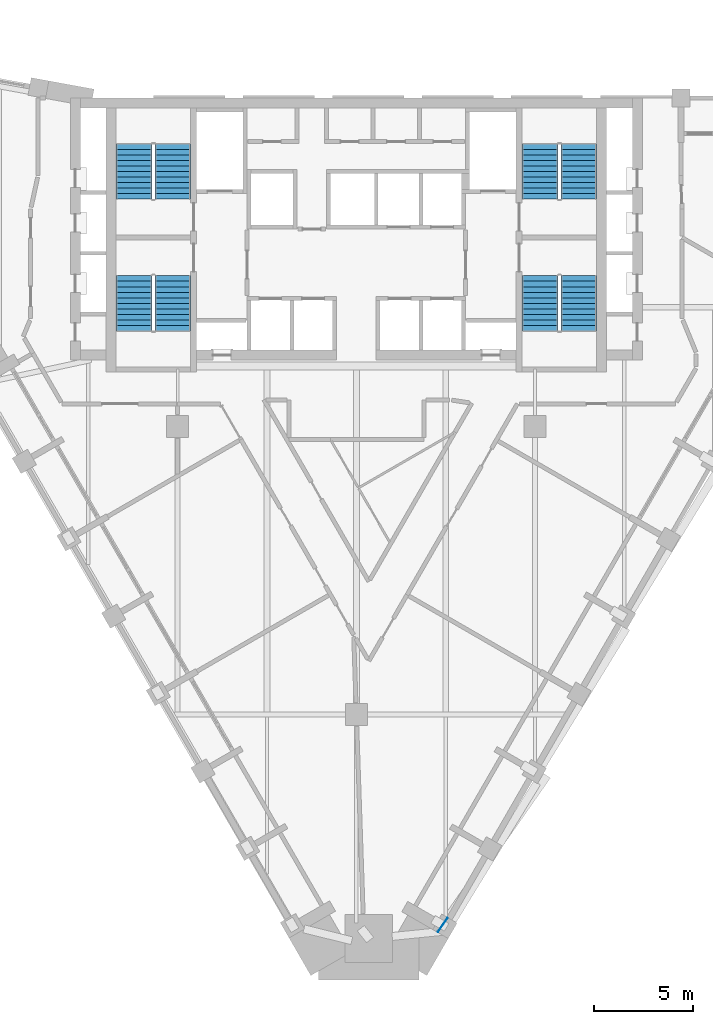
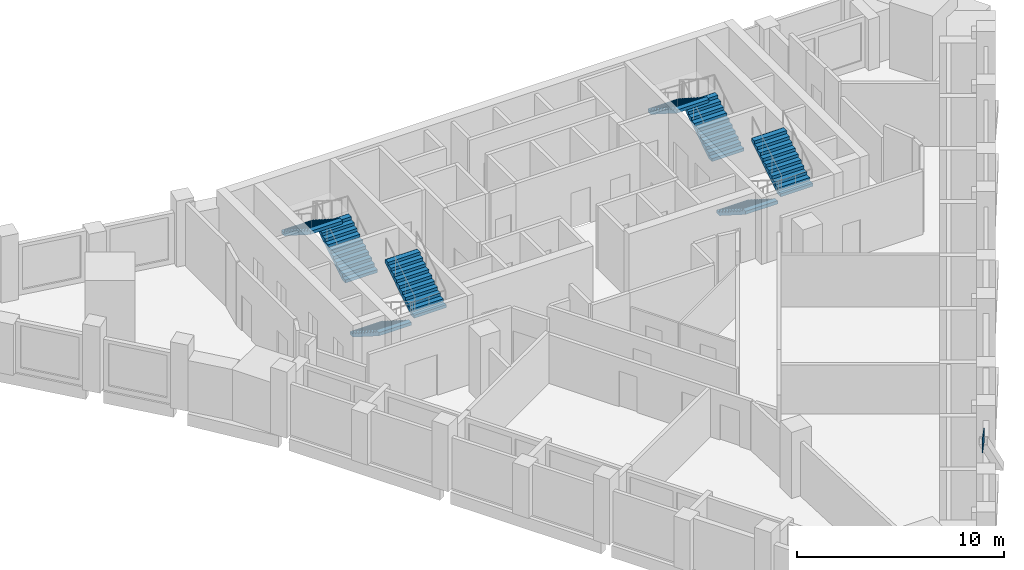
# One storey, part 8 of 9: 8 stair flights, 1 discrete accessory, 4 elements without a shape of their own.
"""IFC4 building model written with IfcOpenShell, lengths in metres."""

from ifc_helpers import new_model, si_unit, direction, frame, origin, origin_2d, place, context, subcontext, project, spatial, rectangle, extrude, faceted_brep, source, transform, mapped, material, type_object, element, aggregate, save


model = new_model("IFC4")

# Units and contexts
model_context = context("Model", 3, precision=1e-05, world=origin(), true_north=direction((0.0, 1.0)))
body_context = subcontext(model_context, "Body", "Model", "MODEL_VIEW")
ifc_project = project(units=[si_unit("LENGTHUNIT", "METRE"), si_unit("AREAUNIT", "SQUARE_METRE"), si_unit("VOLUMEUNIT", "CUBIC_METRE"), si_unit("PLANEANGLEUNIT", "RADIAN"), si_unit("MASSUNIT", "GRAM", prefix="KILO")], contexts=[model_context])

# Site, building, storey
site_placement = place(None, origin())
site = spatial("IfcSite", under=ifc_project, at=site_placement, CompositionType="ELEMENT")
building_placement = place(site_placement, origin())
building = spatial("IfcBuilding", under=site, at=building_placement, Name="Calabash Gate Tower", CompositionType="ELEMENT")
storey_placement = place(building_placement, frame((0.0, 0.0, 227.60009765625)))
storey = spatial("IfcBuildingStorey", under=building, at=storey_placement, Name="L54", CompositionType="ELEMENT", Elevation=227.60009765625)

# Stair, stair flights
ifc_material_1 = material(Name="Concrete C40/50", Category="concrete")
stair_type = type_object("IfcStairType", Name="Exit stair 22 risers of 177.3 mm", PredefinedType="HALF_TURN_STAIR", material=ifc_material_1)
stair_1_placement = place(storey_placement, origin())
stair_1 = element("IfcStair", 1, at=stair_1_placement, inside=storey, type_object=stair_type, Name="L54 Exit stair ST1", PredefinedType="HALF_TURN_STAIR")
ifc_material_2 = material(Name="Concrete C40/50", Category="concrete")
stair_flight_type = type_object("IfcStairFlightType", Name="Exit stair flight SFL", PredefinedType="STRAIGHT", material=ifc_material_2)
shared_shape = source(origin(), body_context, "Body", "Brep", [
    faceted_brep([(-0.0009765625, -0.89990234375, 0.0), (0.279541015625, -0.89990234375, 0.0), (2.791015625, -0.89990234375, 1.59521484375), (-0.0009765625, 0.89990234375, 0.0), (2.791015625, 0.89990234375, 1.59521484375), (0.279541015625, 0.89990234375, 0.0), (2.791015625, -0.89990234375, 1.78466796875), (2.7900390625, -0.89990234375, 1.78466796875), (2.7900390625, 0.89990234375, 1.78466796875), (2.791015625, 0.89990234375, 1.78466796875), (2.7900390625, -0.89990234375, 1.772705078125), (2.7900390625, 0.89990234375, 1.772705078125), (2.510986328125, -0.89990234375, 1.772705078125), (2.510986328125, 0.89990234375, 1.772705078125), (2.510986328125, -0.89990234375, 1.595458984375), (2.510986328125, 0.89990234375, 1.595458984375), (2.23193359375, -0.89990234375, 1.595458984375), (2.23193359375, 0.89990234375, 1.595458984375), (2.23193359375, -0.89990234375, 1.418212890625), (2.23193359375, 0.89990234375, 1.418212890625), (1.952880859375, -0.89990234375, 1.418212890625), (1.952880859375, -0.89990234375, 1.240966796875), (1.952880859375, 0.89990234375, 1.240966796875), (1.952880859375, 0.89990234375, 1.418212890625), (1.674072265625, -0.89990234375, 1.240966796875), (1.674072265625, -0.89990234375, 1.063720703125), (1.674072265625, 0.89990234375, 1.063720703125), (1.674072265625, 0.89990234375, 1.240966796875), (1.39501953125, -0.89990234375, 1.063720703125), (1.39501953125, -0.89990234375, 0.886474609375), (1.39501953125, 0.89990234375, 0.886474609375), (1.39501953125, 0.89990234375, 1.063720703125), (1.115966796875, -0.89990234375, 0.886474609375), (1.115966796875, -0.89990234375, 0.708984375), (1.115966796875, 0.89990234375, 0.708984375), (1.115966796875, 0.89990234375, 0.886474609375), (0.8369140625, -0.89990234375, 0.708984375), (0.8369140625, -0.89990234375, 0.53173828125), (0.8369140625, 0.89990234375, 0.53173828125), (0.8369140625, 0.89990234375, 0.708984375), (0.55810546875, -0.89990234375, 0.53173828125), (0.55810546875, -0.89990234375, 0.3544921875), (0.55810546875, 0.89990234375, 0.3544921875), (0.55810546875, 0.89990234375, 0.53173828125), (0.279052734375, -0.89990234375, 0.3544921875), (0.279052734375, -0.89990234375, 0.17724609375), (0.279052734375, 0.89990234375, 0.17724609375), (0.279052734375, 0.89990234375, 0.3544921875), (-0.0009765625, -0.89990234375, 0.17724609375), (-0.0009765625, 0.89990234375, 0.17724609375), (0.279541015625, -0.360107421875, 0.0), (2.791015625, -0.360107421875, 1.59521484375), (0.279541015625, 0.0, 0.0), (2.791015625, 0.0, 1.59521484375), (0.279541015625, 0.360107421875, 0.0), (2.791015625, 0.360107421875, 1.59521484375), (2.791015625, -0.360107421875, 1.78466796875), (2.791015625, 0.0, 1.78466796875), (2.791015625, 0.360107421875, 1.78466796875), (2.7900390625, -0.360107421875, 1.78466796875), (2.7900390625, 0.0, 1.78466796875), (2.7900390625, 0.360107421875, 1.78466796875), (2.7900390625, -0.360107421875, 1.772705078125), (2.7900390625, 0.0, 1.772705078125), (2.7900390625, 0.360107421875, 1.772705078125), (2.510986328125, -0.360107421875, 1.772705078125), (2.510986328125, 0.0, 1.772705078125), (2.510986328125, 0.360107421875, 1.772705078125), (2.510986328125, -0.360107421875, 1.595458984375), (2.510986328125, 0.0, 1.595458984375), (2.510986328125, 0.360107421875, 1.595458984375), (2.23193359375, -0.360107421875, 1.595458984375), (2.23193359375, 0.0, 1.595458984375), (2.23193359375, 0.360107421875, 1.595458984375), (2.23193359375, -0.360107421875, 1.418212890625), (2.23193359375, 0.0, 1.418212890625), (2.23193359375, 0.360107421875, 1.418212890625), (1.952880859375, -0.360107421875, 1.418212890625), (1.952880859375, 0.0, 1.418212890625), (1.952880859375, 0.360107421875, 1.418212890625), (1.952880859375, -0.360107421875, 1.240966796875), (1.952880859375, 0.0, 1.240966796875), (1.952880859375, 0.360107421875, 1.240966796875), (1.674072265625, -0.360107421875, 1.240966796875), (1.674072265625, 0.0, 1.240966796875), (1.674072265625, 0.360107421875, 1.240966796875), (1.674072265625, -0.360107421875, 1.063720703125), (1.674072265625, 0.0, 1.063720703125), (1.674072265625, 0.360107421875, 1.063720703125), (1.39501953125, -0.360107421875, 1.063720703125), (1.39501953125, 0.0, 1.063720703125), (1.39501953125, 0.360107421875, 1.063720703125), (1.39501953125, -0.360107421875, 0.886474609375), (1.39501953125, 0.0, 0.886474609375), (1.39501953125, 0.360107421875, 0.886474609375), (1.115966796875, -0.360107421875, 0.886474609375), (1.115966796875, 0.0, 0.886474609375), (1.115966796875, 0.360107421875, 0.886474609375), (1.115966796875, -0.360107421875, 0.708984375), (1.115966796875, 0.0, 0.708984375), (1.115966796875, 0.360107421875, 0.708984375), (0.8369140625, -0.360107421875, 0.708984375), (0.8369140625, 0.0, 0.708984375), (0.8369140625, 0.360107421875, 0.708984375), (0.8369140625, -0.360107421875, 0.53173828125), (0.8369140625, 0.0, 0.53173828125), (0.8369140625, 0.360107421875, 0.53173828125), (0.55810546875, -0.360107421875, 0.53173828125), (0.55810546875, 0.0, 0.53173828125), (0.55810546875, 0.360107421875, 0.53173828125), (0.55810546875, -0.360107421875, 0.3544921875), (0.55810546875, 0.0, 0.3544921875), (0.55810546875, 0.360107421875, 0.3544921875), (0.279052734375, -0.360107421875, 0.3544921875), (0.279052734375, 0.0, 0.3544921875), (0.279052734375, 0.360107421875, 0.3544921875), (0.279052734375, -0.360107421875, 0.17724609375), (0.279052734375, 0.0, 0.17724609375), (0.279052734375, 0.360107421875, 0.17724609375), (-0.0009765625, -0.360107421875, 0.17724609375), (-0.0009765625, 0.0, 0.17724609375), (-0.0009765625, 0.360107421875, 0.17724609375), (-0.0009765625, -0.360107421875, 0.0), (-0.0009765625, 0.0, 0.0), (-0.0009765625, 0.360107421875, 0.0)], [[[0, 1, 2]], [[3, 4, 5]], [[2, 6, 7]], [[4, 8, 9]], [[2, 7, 10]], [[4, 11, 8]], [[2, 10, 12]], [[4, 13, 11]], [[2, 12, 14]], [[4, 15, 13]], [[2, 14, 16]], [[4, 17, 15]], [[2, 16, 18]], [[4, 19, 17]], [[18, 20, 21]], [[19, 22, 23]], [[2, 18, 21]], [[4, 22, 19]], [[21, 24, 25]], [[22, 26, 27]], [[2, 21, 25]], [[4, 26, 22]], [[25, 28, 29]], [[26, 30, 31]], [[2, 25, 29]], [[4, 30, 26]], [[29, 32, 33]], [[30, 34, 35]], [[2, 29, 33]], [[4, 34, 30]], [[33, 36, 37]], [[34, 38, 39]], [[2, 33, 37]], [[4, 38, 34]], [[37, 40, 41]], [[38, 42, 43]], [[2, 37, 41]], [[4, 42, 38]], [[41, 44, 45]], [[42, 46, 47]], [[2, 41, 45]], [[4, 46, 42]], [[0, 2, 45]], [[3, 46, 4]], [[45, 48, 0]], [[46, 3, 49]], [[1, 50, 2]], [[50, 51, 2]], [[50, 52, 51]], [[52, 53, 51]], [[52, 54, 55]], [[52, 55, 53]], [[54, 5, 4]], [[54, 4, 55]], [[2, 51, 6]], [[51, 56, 6]], [[51, 53, 56]], [[53, 57, 56]], [[53, 55, 58]], [[53, 58, 57]], [[55, 4, 9]], [[55, 9, 58]], [[6, 56, 7]], [[56, 59, 7]], [[56, 57, 59]], [[57, 60, 59]], [[57, 58, 61]], [[57, 61, 60]], [[58, 9, 8]], [[58, 8, 61]], [[7, 59, 10]], [[59, 62, 10]], [[59, 60, 62]], [[60, 63, 62]], [[60, 61, 64]], [[60, 64, 63]], [[61, 8, 11]], [[61, 11, 64]], [[10, 62, 12]], [[62, 65, 12]], [[62, 63, 65]], [[63, 66, 65]], [[63, 64, 67]], [[63, 67, 66]], [[64, 11, 13]], [[64, 13, 67]], [[12, 65, 14]], [[65, 68, 14]], [[65, 66, 68]], [[66, 69, 68]], [[66, 67, 70]], [[66, 70, 69]], [[67, 13, 15]], [[67, 15, 70]], [[14, 68, 16]], [[68, 71, 16]], [[68, 69, 71]], [[69, 72, 71]], [[69, 70, 73]], [[69, 73, 72]], [[70, 15, 17]], [[70, 17, 73]], [[16, 71, 18]], [[71, 74, 18]], [[71, 72, 74]], [[72, 75, 74]], [[72, 73, 76]], [[72, 76, 75]], [[73, 17, 19]], [[73, 19, 76]], [[18, 74, 20]], [[74, 77, 20]], [[74, 75, 77]], [[75, 78, 77]], [[75, 76, 79]], [[75, 79, 78]], [[76, 19, 23]], [[76, 23, 79]], [[20, 77, 21]], [[77, 80, 21]], [[77, 78, 80]], [[78, 81, 80]], [[78, 79, 82]], [[78, 82, 81]], [[79, 23, 22]], [[79, 22, 82]], [[21, 80, 24]], [[80, 83, 24]], [[80, 81, 83]], [[81, 84, 83]], [[81, 82, 85]], [[81, 85, 84]], [[82, 22, 27]], [[82, 27, 85]], [[24, 83, 25]], [[83, 86, 25]], [[83, 84, 86]], [[84, 87, 86]], [[84, 85, 88]], [[84, 88, 87]], [[85, 27, 26]], [[85, 26, 88]], [[25, 86, 28]], [[86, 89, 28]], [[86, 87, 89]], [[87, 90, 89]], [[87, 88, 91]], [[87, 91, 90]], [[88, 26, 31]], [[88, 31, 91]], [[28, 89, 29]], [[89, 92, 29]], [[89, 90, 92]], [[90, 93, 92]], [[90, 91, 94]], [[90, 94, 93]], [[91, 31, 30]], [[91, 30, 94]], [[29, 92, 32]], [[92, 95, 32]], [[92, 93, 95]], [[93, 96, 95]], [[93, 94, 97]], [[93, 97, 96]], [[94, 30, 35]], [[94, 35, 97]], [[32, 95, 33]], [[95, 98, 33]], [[95, 96, 98]], [[96, 99, 98]], [[96, 97, 100]], [[96, 100, 99]], [[97, 35, 34]], [[97, 34, 100]], [[33, 98, 36]], [[98, 101, 36]], [[98, 99, 101]], [[99, 102, 101]], [[99, 100, 103]], [[99, 103, 102]], [[100, 34, 39]], [[100, 39, 103]], [[36, 101, 37]], [[101, 104, 37]], [[101, 102, 104]], [[102, 105, 104]], [[102, 103, 106]], [[102, 106, 105]], [[103, 39, 38]], [[103, 38, 106]], [[37, 104, 40]], [[104, 107, 40]], [[104, 105, 107]], [[105, 108, 107]], [[105, 106, 109]], [[105, 109, 108]], [[106, 38, 43]], [[106, 43, 109]], [[40, 107, 41]], [[107, 110, 41]], [[107, 108, 110]], [[108, 111, 110]], [[108, 109, 112]], [[108, 112, 111]], [[109, 43, 42]], [[109, 42, 112]], [[41, 110, 44]], [[110, 113, 44]], [[110, 111, 113]], [[111, 114, 113]], [[111, 112, 115]], [[111, 115, 114]], [[112, 42, 47]], [[112, 47, 115]], [[44, 113, 45]], [[113, 116, 45]], [[113, 114, 116]], [[114, 117, 116]], [[114, 115, 118]], [[114, 118, 117]], [[115, 47, 46]], [[115, 46, 118]], [[45, 116, 48]], [[116, 119, 48]], [[116, 117, 119]], [[117, 120, 119]], [[117, 118, 121]], [[117, 121, 120]], [[118, 46, 49]], [[118, 49, 121]], [[48, 119, 0]], [[119, 122, 0]], [[119, 120, 122]], [[120, 123, 122]], [[120, 121, 124]], [[120, 124, 123]], [[121, 49, 3]], [[121, 3, 124]], [[0, 122, 1]], [[122, 50, 1]], [[122, 123, 50]], [[123, 52, 50]], [[123, 124, 54]], [[123, 54, 52]], [[124, 3, 5]], [[124, 5, 54]]]),
])
stair_flight_1_placement = place(storey_placement, frame((-9.25, 13.95263671875, 0.0), z_axis=(0.0, 0.0, 1.0), x_axis=(0.0, 1.0, 0.0)))
stair_flight_1 = element("IfcStairFlight", 2, at=stair_flight_1_placement, type_object=stair_flight_type, Name="ST1 flight 1", NumberOfRisers=11, NumberOfTreads=10, PredefinedType="STRAIGHT", RiserHeight=0.177272727, TreadLength=0.279, context=body_context, shape_type="MappedRepresentation", body=[
    mapped(shared_shape, transform((0.0, 0.0, 0.0), scale=1.0)),
])
stair_flight_2_placement = place(storey_placement, frame((-11.199951171875, 16.74267578125, 1.949951171875), z_axis=(0.0, 0.0, 1.0), x_axis=(0.0, -1.0, 0.0)))
stair_flight_2 = element("IfcStairFlight", 3, at=stair_flight_2_placement, type_object=stair_flight_type, Name="ST1 flight 2", NumberOfRisers=11, NumberOfTreads=10, PredefinedType="STRAIGHT", RiserHeight=0.177272727, TreadLength=0.279, context=body_context, shape_type="MappedRepresentation", body=[
    mapped(shared_shape, transform((0.0, 0.0, 0.0), scale=1.0)),
])
aggregate(stair_1, [stair_flight_1, stair_flight_2])

stair_2_placement = place(storey_placement, origin())
stair_2 = element("IfcStair", 4, at=stair_2_placement, inside=storey, type_object=stair_type, Name="L54 Exit stair ST2", PredefinedType="HALF_TURN_STAIR")
stair_flight_3_placement = place(storey_placement, frame((-11.199951171875, 10.1025390625, 0.0), z_axis=(0.0, 0.0, 1.0), x_axis=(0.0, -1.0, 0.0)))
stair_flight_3 = element("IfcStairFlight", 5, at=stair_flight_3_placement, type_object=stair_flight_type, Name="ST2 flight 1", NumberOfRisers=11, NumberOfTreads=10, PredefinedType="STRAIGHT", RiserHeight=0.177272727, TreadLength=0.279, context=body_context, shape_type="MappedRepresentation", body=[
    mapped(shared_shape, transform((0.0, 0.0, 0.0), scale=1.0)),
])
stair_flight_4_placement = place(storey_placement, frame((-9.25, 7.3125, 1.949951171875), z_axis=(0.0, 0.0, 1.0), x_axis=(0.0, 1.0, 0.0)))
stair_flight_4 = element("IfcStairFlight", 6, at=stair_flight_4_placement, type_object=stair_flight_type, Name="ST2 flight 2", NumberOfRisers=11, NumberOfTreads=10, PredefinedType="STRAIGHT", RiserHeight=0.177272727, TreadLength=0.279, context=body_context, shape_type="MappedRepresentation", body=[
    mapped(shared_shape, transform((0.0, 0.0, 0.0), scale=1.0)),
])
aggregate(stair_2, [stair_flight_3, stair_flight_4])

stair_3_placement = place(storey_placement, origin())
stair_3 = element("IfcStair", 7, at=stair_3_placement, inside=storey, type_object=stair_type, Name="L54 Exit stair ST3", PredefinedType="HALF_TURN_STAIR")
stair_flight_5_placement = place(storey_placement, frame((11.199951171875, 13.95263671875, 0.0), z_axis=(0.0, 0.0, 1.0), x_axis=(0.0, 1.0, 0.0)))
stair_flight_5 = element("IfcStairFlight", 8, at=stair_flight_5_placement, type_object=stair_flight_type, Name="ST3 flight 1", NumberOfRisers=11, NumberOfTreads=10, PredefinedType="STRAIGHT", RiserHeight=0.177272727, TreadLength=0.279, context=body_context, shape_type="MappedRepresentation", body=[
    mapped(shared_shape, transform((0.0, 0.0, 0.0), scale=1.0)),
])
stair_flight_6_placement = place(storey_placement, frame((9.25, 16.74267578125, 1.949951171875), z_axis=(0.0, 0.0, 1.0), x_axis=(0.0, -1.0, 0.0)))
stair_flight_6 = element("IfcStairFlight", 9, at=stair_flight_6_placement, type_object=stair_flight_type, Name="ST3 flight 2", NumberOfRisers=11, NumberOfTreads=10, PredefinedType="STRAIGHT", RiserHeight=0.177272727, TreadLength=0.279, context=body_context, shape_type="MappedRepresentation", body=[
    mapped(shared_shape, transform((0.0, 0.0, 0.0), scale=1.0)),
])
aggregate(stair_3, [stair_flight_5, stair_flight_6])

stair_4_placement = place(storey_placement, origin())
stair_4 = element("IfcStair", 10, at=stair_4_placement, inside=storey, type_object=stair_type, Name="L54 Exit stair ST4", PredefinedType="HALF_TURN_STAIR")
stair_flight_7_placement = place(storey_placement, frame((9.25, 10.1025390625, 0.0), z_axis=(0.0, 0.0, 1.0), x_axis=(0.0, -1.0, 0.0)))
stair_flight_7 = element("IfcStairFlight", 11, at=stair_flight_7_placement, type_object=stair_flight_type, Name="ST4 flight 1", NumberOfRisers=11, NumberOfTreads=10, PredefinedType="STRAIGHT", RiserHeight=0.177272727, TreadLength=0.279, context=body_context, shape_type="MappedRepresentation", body=[
    mapped(shared_shape, transform((0.0, 0.0, 0.0), scale=1.0)),
])
stair_flight_8_placement = place(storey_placement, frame((11.199951171875, 7.3125, 1.949951171875), z_axis=(0.0, 0.0, 1.0), x_axis=(0.0, 1.0, 0.0)))
stair_flight_8 = element("IfcStairFlight", 12, at=stair_flight_8_placement, type_object=stair_flight_type, Name="ST4 flight 2", NumberOfRisers=11, NumberOfTreads=10, PredefinedType="STRAIGHT", RiserHeight=0.177272727, TreadLength=0.279, context=body_context, shape_type="MappedRepresentation", body=[
    mapped(shared_shape, transform((0.0, 0.0, 0.0), scale=1.0)),
])
aggregate(stair_4, [stair_flight_7, stair_flight_8])

# Discrete accessory
ifc_material_3 = material(Name="Steel ASTM A572 Gr50", Category="steel")
discrete_accessory_type = type_object("IfcDiscreteAccessoryType", Name="Connection plate 25", PredefinedType="BRACKET", material=ifc_material_3)
discrete_accessory_placement = place(storey_placement, frame((4.343994140625, -22.593994140625, 7.37451171875), z_axis=(0.0, 0.0, 1.0), x_axis=(-0.573509939578, -0.819198601808, 0.0)))
element("IfcDiscreteAccessory", 13, at=discrete_accessory_placement, inside=storey, type_object=discrete_accessory_type, Name="Connection plate Mega-brace SE Z4 36 end", PredefinedType="BRACKET", context=body_context, shape_type="SweptSolid", body=[
    extrude(rectangle(XDim=0.850341796875, YDim=0.02490234375, at=origin_2d()), origin(), (0.0, 0.0, 1.0), 0.850341796875),
])

save(model, "model.ifc")
